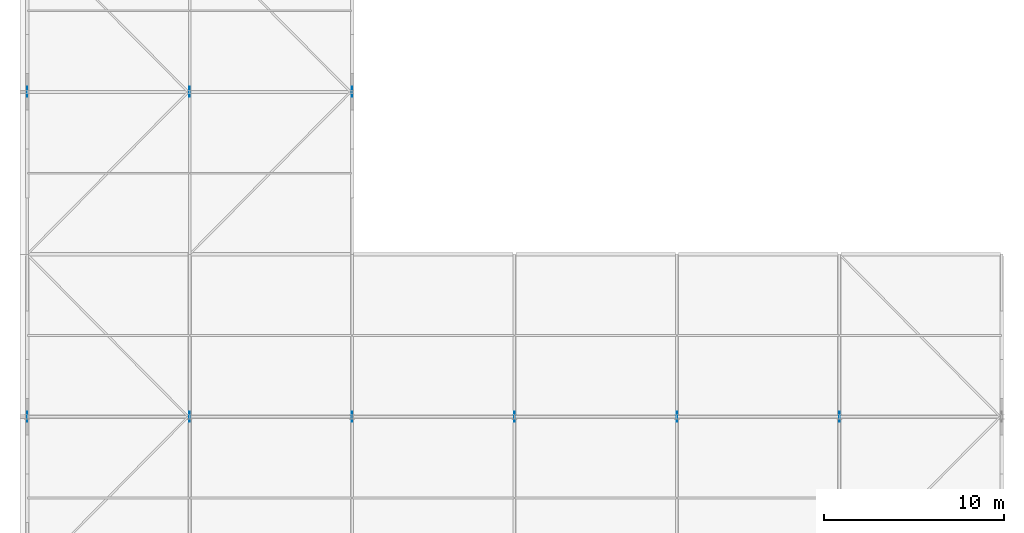
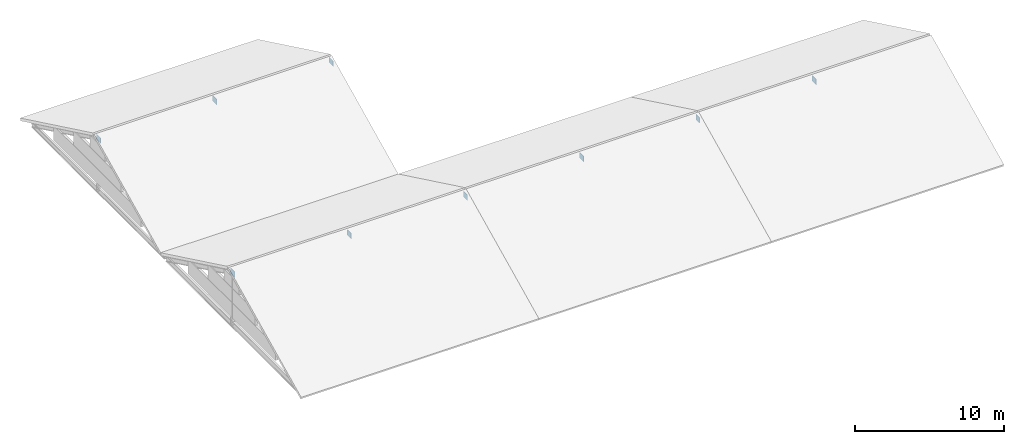
# One storey, part 7 of 9: 9 plates.
"""IFC4 building model written with IfcOpenShell, lengths in metres."""

from ifc_helpers import new_model, si_unit, direction, frame, origin, origin_2d, place, context, subcontext, project, spatial, rectangle, extrude, material, layer, layer_set, type_object, element, save


model = new_model("IFC4")

# Units and contexts
model_context = context("Model", 3, precision=1e-05, world=origin(), true_north=direction((0.0, 1.0)))
body_context = subcontext(model_context, "Body", "Model", "MODEL_VIEW")
ifc_project = project(units=[si_unit("LENGTHUNIT", "METRE"), si_unit("AREAUNIT", "SQUARE_METRE"), si_unit("VOLUMEUNIT", "CUBIC_METRE"), si_unit("PLANEANGLEUNIT", "RADIAN"), si_unit("MASSUNIT", "GRAM", prefix="KILO")], contexts=[model_context])

# Site, building, storey
site_placement = place(None, origin())
site = spatial("IfcSite", under=ifc_project, at=site_placement, CompositionType="ELEMENT")
building_placement = place(site_placement, origin())
building = spatial("IfcBuilding", under=site, at=building_placement, Name="Tharagai Park Tramway Depot", CompositionType="ELEMENT")
storey_placement = place(building_placement, frame((0.0, 0.0, 18.0)))
storey = spatial("IfcBuildingStorey", under=building, at=storey_placement, Name="RF", CompositionType="ELEMENT", Elevation=18.0)

# Plates
ifc_material = material(Name="Steel E350", Category="steel")
ifc_layer_1 = layer(ifc_material, 0.02392578125)
ifc_layer_set_1 = layer_set([ifc_layer_1], Name="Steel E350")
plate_type_1 = type_object("IfcPlateType", Name="GP-02", PredefinedType="SHEET", material=ifc_layer_set_1)
for number, where, z_axis, x_axis, name in (
    (1, (9.0, 9.0, 3.46533203125), (0.0, 0.0, 1.0), (1.0, 0.0, 0.0), "V4S Ridge Gusset Plate GP-02"),
    (2, (27.0, 9.0, 3.46533203125), (0.0, 0.0, 1.0), (1.0, 0.0, 0.0), "V4S Ridge Gusset Plate GP-02"),
    (3, (45.0, 9.0, 3.46533203125), (0.0, 0.0, 1.0), (1.0, 0.0, 0.0), "V4S Ridge Gusset Plate GP-02"),
    (4, (9.0, 27.0, 3.51513671875), (0.0, 0.0, 1.0), (1.0, 0.0, 0.0), "V4W Ridge Gusset Plate GP-02"),
):
    element("IfcPlate", number, at=place(storey_placement, frame(where, z_axis=z_axis, x_axis=x_axis)), inside=storey, type_object=plate_type_1, Name=name, PredefinedType="SHEET", context=body_context, shape_type="SweptSolid", body=[
        extrude(rectangle(XDim=0.02392578125, YDim=0.550048828125, at=origin_2d()), origin(), (0.0, 0.0, 1.0), 0.449951171875),
    ])
ifc_layer_2 = layer(ifc_material, 0.01611328125)
ifc_layer_set_2 = layer_set([ifc_layer_2], Name="Steel E350")
plate_type_2 = type_object("IfcPlateType", Name="GP-03", PredefinedType="SHEET", material=ifc_layer_set_2)
for number, where, z_axis, x_axis, name in (
    (5, (0.0, 9.0, 3.46533203125), (0.0, 0.0, 1.0), (1.0, 0.0, 0.0), "V4S Ridge Gusset Plate GP-03"),
    (6, (18.0, 9.0, 3.46533203125), (0.0, 0.0, 1.0), (1.0, 0.0, 0.0), "V4S Ridge Gusset Plate GP-03"),
    (7, (36.0, 9.0, 3.46533203125), (0.0, 0.0, 1.0), (1.0, 0.0, 0.0), "V4S Ridge Gusset Plate GP-03"),
    (8, (0.0, 27.0, 3.51513671875), (0.0, 0.0, 1.0), (1.0, 0.0, 0.0), "V4W Ridge Gusset Plate GP-03"),
    (9, (18.0, 27.0, 3.51513671875), (0.0, 0.0, 1.0), (1.0, 0.0, 0.0), "V4W Ridge Gusset Plate GP-03"),
):
    element("IfcPlate", number, at=place(storey_placement, frame(where, z_axis=z_axis, x_axis=x_axis)), inside=storey, type_object=plate_type_2, Name=name, PredefinedType="SHEET", context=body_context, shape_type="SweptSolid", body=[
        extrude(rectangle(XDim=0.01611328125, YDim=0.550048828125, at=origin_2d()), origin(), (0.0, 0.0, 1.0), 0.449951171875),
    ])

save(model, "model.ifc")
